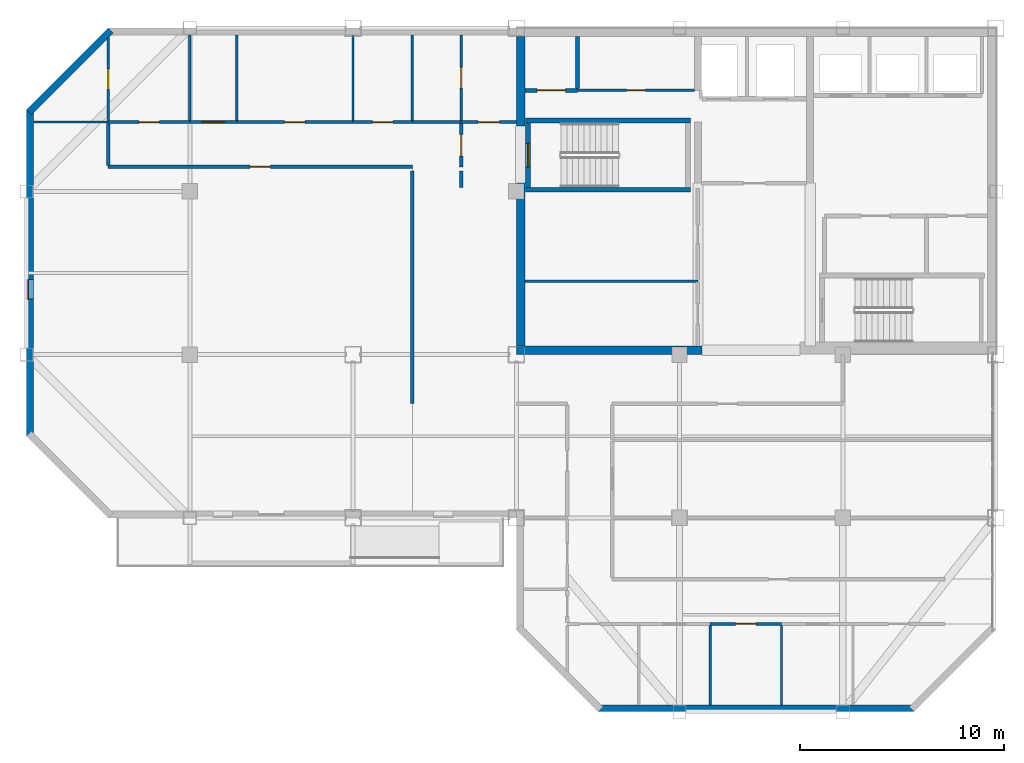
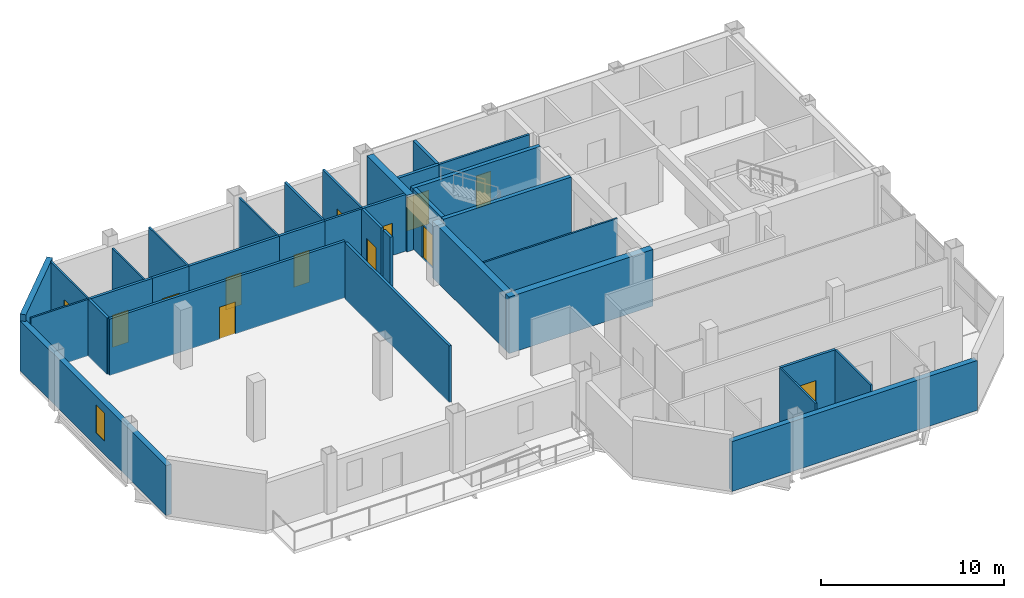
# One storey, part 8 of 13: 34 walls, 13 doors, 1 window, 14 openings.
"""IFC4 building model written with IfcOpenShell, lengths in metres."""

from ifc_helpers import new_model, si_unit, direction, frame, frame_2d, origin, place, context, subcontext, project, spatial, rectangle, extrude, material, layer, layer_set, type_object, element, fill, save


model = new_model("IFC4")

# Units and contexts
model_context = context("Model", 3, precision=1e-05, world=origin(), true_north=direction((0.0, 1.0)))
body_context = subcontext(model_context, "Body", "Model", "MODEL_VIEW")
ifc_project = project(units=[si_unit("LENGTHUNIT", "METRE"), si_unit("AREAUNIT", "SQUARE_METRE"), si_unit("VOLUMEUNIT", "CUBIC_METRE"), si_unit("PLANEANGLEUNIT", "RADIAN"), si_unit("MASSUNIT", "GRAM", prefix="KILO")], contexts=[model_context])

# Site, building, storey
site_placement = place(None, origin())
site = spatial("IfcSite", under=ifc_project, at=site_placement, CompositionType="ELEMENT")
building_placement = place(site_placement, origin())
building = spatial("IfcBuilding", under=site, at=building_placement, Name="Qianrong Seaharbour Tower", CompositionType="ELEMENT")
storey_placement = place(building_placement, frame((0.0, 0.0, 295.199951171875)))
storey = spatial("IfcBuildingStorey", under=building, at=storey_placement, Name="L71", CompositionType="ELEMENT", Elevation=295.199951171875)

# Walls
ifc_material_1 = material(Name="Concrete C50/60", Category="concrete")
ifc_layer_1 = layer(ifc_material_1, 0.419921875)
ifc_layer_set_1 = layer_set([ifc_layer_1], Name="Concrete C50/60")
wall_type_1 = type_object("IfcWallType", Name="WALL-CORE-420", PredefinedType="SHEAR", material=ifc_layer_set_1)
wall_1_placement = place(storey_placement, frame((40.7099609375, 36.419921875, 0.0), z_axis=(0.0, 0.0, 1.0), x_axis=(0.0, 1.0, 0.0)))
element("IfcWall", 1, at=wall_1_placement, inside=storey, type_object=wall_type_1, Name="L71 West Core Shear Wall South", PredefinedType="SHEAR", context=body_context, shape_type="SweptSolid", body=[
    extrude(rectangle(XDim=7.97998046875, YDim=0.419921875, at=frame_2d((3.989990234375, 0.0))), origin(), (0.0, 0.0, 1.0), 3.78515625),
])
wall_2_placement = place(storey_placement, frame((40.7099609375, 47.199951171875, 0.0), z_axis=(0.0, 0.0, 1.0), x_axis=(0.0, 1.0, 0.0)))
element("IfcWall", 2, at=wall_2_placement, inside=storey, type_object=wall_type_1, Name="L71 West Core Shear Wall North", PredefinedType="SHEAR", context=body_context, shape_type="SweptSolid", body=[
    extrude(rectangle(XDim=4.380126953125, YDim=0.419921875, at=frame_2d((2.18994140625, 0.0))), origin(), (0.0, 0.0, 1.0), 3.78515625),
])
wall_3_placement = place(storey_placement, frame((40.5, 36.2099609375, 0.0), z_axis=(0.0, 0.0, 1.0), x_axis=(1.0, 0.0, 0.0)))
element("IfcWall", 3, at=wall_3_placement, inside=storey, type_object=wall_type_1, Name="L71 South Core Shear Wall S1", PredefinedType="SHEAR", context=body_context, shape_type="SweptSolid", body=[
    extrude(rectangle(XDim=9.10009765625, YDim=0.419921875, at=frame_2d((4.550048828125, 0.0))), origin(), (0.0, 0.0, 1.0), 3.78515625),
])

# Wall, opening, door
ifc_material_2 = material(Name="Fire-rated acoustic gypsum board partition")
ifc_layer_2 = layer(ifc_material_2, 0.1650390625)
ifc_layer_set_2 = layer_set([ifc_layer_2], Name="Fire-rated acoustic gypsum board partition")
wall_type_2 = type_object("IfcWallType", Name="WALL-CORR-PART-165", PredefinedType="PARTITIONING", material=ifc_layer_set_2)
wall_4_placement = place(storey_placement, frame((37.800048828125, 47.39990234375, 0.0), z_axis=(0.0, 0.0, 1.0), x_axis=(1.0, 0.0, 0.0)))
wall_4 = element("IfcWall", 4, at=wall_4_placement, inside=storey, type_object=wall_type_2, Name="L71 Interior Partition Wall 001", PredefinedType="PARTITIONING", context=body_context, shape_type="SweptSolid", body=[
    extrude(rectangle(XDim=2.699951171875, YDim=0.1650390625, at=frame_2d((1.35009765625, 0.0))), origin(), (0.0, 0.0, 1.0), 3.78515625),
])
opening_1_placement = place(wall_4_placement, frame((0.824951171875, 0.0, 0.0)))
opening_1 = element("IfcOpeningElement", 5, at=opening_1_placement, cuts=wall_4, Name="Opening DC-01", PredefinedType="OPENING", context=body_context, shape_type="SweptSolid", body=[
    extrude(rectangle(XDim=1.050048828125, YDim=2.14990234375, at=frame_2d((0.52490234375, 1.074951171875))), frame((0.0, 0.092529296875, 0.0), z_axis=(0.0, -1.0, 0.0), x_axis=(1.0, 0.0, 0.0)), (0.0, 0.0, 1.0), 0.18505859375),
])
ifc_material_3 = material(Name="Acoustic timber and galvanized steel fire door assembly", Category="steel")
door_type_1 = type_object("IfcDoorType", Name="DOOR-CORR-FD60-1050x2150", OperationType="NOTDEFINED", PredefinedType="DOOR", material=ifc_material_3)
door_1_placement = place(opening_1_placement, origin())
door_1 = element("IfcDoor", 6, at=door_1_placement, inside=storey, type_object=door_type_1, Name="L71 Smokeproof Stair Vestibule ST-1 Door", OperationType="SINGLE_SWING_LEFT", OverallHeight=2.14990234375, OverallWidth=1.050048828125, PredefinedType="DOOR", context=body_context, shape_type="SweptSolid", body=[
    extrude(rectangle(XDim=1.050048828125, YDim=2.14990234375, at=frame_2d((0.52490234375, 1.074951171875))), frame((0.0, 0.02490234375, 0.0), z_axis=(0.0, -1.0, 0.0), x_axis=(1.0, 0.0, 0.0)), (0.0, 0.0, 1.0), 0.050048828125),
])
fill(opening_1, door_1)

wall_5_placement = place(storey_placement, frame((37.800048828125, 45.199951171875, 0.0), z_axis=(0.0, 0.0, 1.0), x_axis=(0.0, 1.0, 0.0)))
wall_5 = element("IfcWall", 7, at=wall_5_placement, inside=storey, type_object=wall_type_2, Name="L71 Interior Partition Wall 002", PredefinedType="PARTITIONING", context=body_context, shape_type="SweptSolid", body=[
    extrude(rectangle(XDim=2.12548828125, YDim=0.1650390625, at=frame_2d((1.062744140625, 0.0))), origin(), (0.0, 0.0, 1.0), 3.78515625),
])
opening_2_placement = place(wall_5_placement, frame((0.537841796875, 0.0, 0.0)))
opening_2 = element("IfcOpeningElement", 8, at=opening_2_placement, cuts=wall_5, Name="Opening DC-01", PredefinedType="OPENING", context=body_context, shape_type="SweptSolid", body=[
    extrude(rectangle(XDim=1.050048828125, YDim=2.14990234375, at=frame_2d((0.52490234375, 1.074951171875))), frame((0.0, 0.092529296875, 0.0), z_axis=(0.0, -1.0, 0.0), x_axis=(1.0, 0.0, 0.0)), (0.0, 0.0, 1.0), 0.18505859375),
])
door_2_placement = place(opening_2_placement, origin())
door_2 = element("IfcDoor", 9, at=door_2_placement, inside=storey, type_object=door_type_1, Name="L71 Smokeproof Stair Vestibule ST-1 Door", OperationType="SINGLE_SWING_RIGHT", OverallHeight=2.14990234375, OverallWidth=1.050048828125, PredefinedType="DOOR", context=body_context, shape_type="SweptSolid", body=[
    extrude(rectangle(XDim=1.050048828125, YDim=2.14990234375, at=frame_2d((0.52490234375, 1.074951171875))), frame((0.0, 0.02490234375, 0.0), z_axis=(0.0, -1.0, 0.0), x_axis=(1.0, 0.0, 0.0)), (0.0, 0.0, 1.0), 0.050048828125),
])
fill(opening_2, door_2)

# Wall
wall_6_placement = place(storey_placement, frame((37.800048828125, 44.199951171875, 0.0), z_axis=(0.0, 0.0, 1.0), x_axis=(0.0, 1.0, 0.0)))
element("IfcWall", 10, at=wall_6_placement, inside=storey, type_object=wall_type_2, Name="L71 Interior Partition Wall 003", PredefinedType="PARTITIONING", context=body_context, shape_type="SweptSolid", body=[
    extrude(rectangle(XDim=0.800048828125, YDim=0.1650390625, at=frame_2d((0.39990234375, 0.0))), origin(), (0.0, 0.0, 1.0), 3.78515625),
])

# Wall, opening, door
wall_7_placement = place(storey_placement, frame((35.39990234375, 45.199951171875, 0.0), z_axis=(0.0, 0.0, 1.0), x_axis=(-1.0, 0.0, 0.0)))
wall_7 = element("IfcWall", 11, at=wall_7_placement, inside=storey, type_object=wall_type_2, Name="L71 Interior Partition Wall 018", PredefinedType="PARTITIONING", context=body_context, shape_type="SweptSolid", body=[
    extrude(rectangle(XDim=14.89990234375, YDim=0.1650390625, at=frame_2d((7.449951171875, 0.0))), origin(), (0.0, 0.0, 1.0), 3.78515625),
])
opening_3_placement = place(wall_7_placement, frame((6.949951171875, 0.0, 0.0)))
opening_3 = element("IfcOpeningElement", 12, at=opening_3_placement, cuts=wall_7, Name="Opening DO-01", PredefinedType="OPENING", context=body_context, shape_type="SweptSolid", body=[
    extrude(rectangle(XDim=1.0, YDim=2.14990234375, at=frame_2d((0.5, 1.074951171875))), frame((0.0, 0.092529296875, 0.0), z_axis=(0.0, -1.0, 0.0), x_axis=(1.0, 0.0, 0.0)), (0.0, 0.0, 1.0), 0.18505859375),
])
door_type_2 = type_object("IfcDoorType", Name="DOOR-OFFICE-1000x2150", OperationType="NOTDEFINED", PredefinedType="DOOR", material=ifc_material_3)
door_3_placement = place(opening_3_placement, origin())
door_3 = element("IfcDoor", 13, at=door_3_placement, inside=storey, type_object=door_type_2, Name="L71 Open-Plan Office Door", OperationType="SINGLE_SWING_LEFT", OverallHeight=2.14990234375, OverallWidth=1.0, PredefinedType="DOOR", context=body_context, shape_type="SweptSolid", body=[
    extrude(rectangle(XDim=1.0, YDim=2.14990234375, at=frame_2d((0.5, 1.074951171875))), frame((0.0, 0.02490234375, 0.0), z_axis=(0.0, -1.0, 0.0), x_axis=(1.0, 0.0, 0.0)), (0.0, 0.0, 1.0), 0.050048828125),
])
fill(opening_3, door_3)

# Wall
wall_8_placement = place(storey_placement, frame((20.5, 45.2744140625, 0.0), z_axis=(0.0, 0.0, 1.0), x_axis=(0.0, 1.0, 0.0)))
element("IfcWall", 14, at=wall_8_placement, inside=storey, type_object=wall_type_2, Name="L71 Interior Partition Wall 019", PredefinedType="PARTITIONING", context=body_context, shape_type="SweptSolid", body=[
    extrude(rectangle(XDim=2.051025390625, YDim=0.1650390625, at=frame_2d((1.025390625, 0.0))), origin(), (0.0, 0.0, 1.0), 3.78515625),
])

# Wall, opening, door
wall_9_placement = place(storey_placement, frame((20.5, 47.39990234375, 0.0), z_axis=(0.0, 0.0, 1.0), x_axis=(1.0, 0.0, 0.0)))
wall_9 = element("IfcWall", 15, at=wall_9_placement, inside=storey, type_object=wall_type_2, Name="L71 Interior Partition Wall 020", PredefinedType="PARTITIONING", context=body_context, shape_type="SweptSolid", body=[
    extrude(rectangle(XDim=4.0, YDim=0.1650390625, at=frame_2d((2.0, 0.0))), origin(), (0.0, 0.0, 1.0), 3.78515625),
])
opening_4_placement = place(wall_9_placement, frame((1.5, 0.0, 0.0)))
opening_4 = element("IfcOpeningElement", 16, at=opening_4_placement, cuts=wall_9, Name="Opening DO-01", PredefinedType="OPENING", context=body_context, shape_type="SweptSolid", body=[
    extrude(rectangle(XDim=1.0, YDim=2.14990234375, at=frame_2d((0.5, 1.074951171875))), frame((0.0, 0.092529296875, 0.0), z_axis=(0.0, -1.0, 0.0), x_axis=(1.0, 0.0, 0.0)), (0.0, 0.0, 1.0), 0.18505859375),
])
door_4_placement = place(opening_4_placement, origin())
door_4 = element("IfcDoor", 17, at=door_4_placement, inside=storey, type_object=door_type_2, Name="L71 Focus Room 2 Door", OperationType="SINGLE_SWING_LEFT", OverallHeight=2.14990234375, OverallWidth=1.0, PredefinedType="DOOR", context=body_context, shape_type="SweptSolid", body=[
    extrude(rectangle(XDim=1.0, YDim=2.14990234375, at=frame_2d((0.5, 1.074951171875))), frame((0.0, 0.02490234375, 0.0), z_axis=(0.0, -1.0, 0.0), x_axis=(1.0, 0.0, 0.0)), (0.0, 0.0, 1.0), 0.050048828125),
])
fill(opening_4, door_4)

wall_10_placement = place(storey_placement, frame((24.5, 47.39990234375, 0.0), z_axis=(0.0, 0.0, 1.0), x_axis=(1.0, 0.0, 0.0)))
wall_10 = element("IfcWall", 18, at=wall_10_placement, inside=storey, type_object=wall_type_2, Name="L71 Interior Partition Wall 021", PredefinedType="PARTITIONING", context=body_context, shape_type="SweptSolid", body=[
    extrude(rectangle(XDim=2.300048828125, YDim=0.1650390625, at=frame_2d((1.14990234375, 0.0))), origin(), (0.0, 0.0, 1.0), 3.78515625),
])
opening_5_placement = place(wall_10_placement, frame((0.60009765625, 0.0, 0.0)))
opening_5 = element("IfcOpeningElement", 19, at=opening_5_placement, cuts=wall_10, Name="Opening DM-01", PredefinedType="OPENING", context=body_context, shape_type="SweptSolid", body=[
    extrude(rectangle(XDim=1.10009765625, YDim=2.199951171875, at=frame_2d((0.550048828125, 1.10009765625))), frame((0.0, 0.092529296875, 0.0), z_axis=(0.0, -1.0, 0.0), x_axis=(1.0, 0.0, 0.0)), (0.0, 0.0, 1.0), 0.18505859375),
])
door_type_3 = type_object("IfcDoorType", Name="DOOR-MEET-1100x2200", OperationType="NOTDEFINED", PredefinedType="DOOR", material=ifc_material_3)
door_5_placement = place(opening_5_placement, origin())
door_5 = element("IfcDoor", 20, at=door_5_placement, inside=storey, type_object=door_type_3, Name="L71 Meeting Room 3 Door", OperationType="SINGLE_SWING_RIGHT", OverallHeight=2.199951171875, OverallWidth=1.10009765625, PredefinedType="DOOR", context=body_context, shape_type="SweptSolid", body=[
    extrude(rectangle(XDim=1.10009765625, YDim=2.199951171875, at=frame_2d((0.550048828125, 1.10009765625))), frame((0.0, 0.02490234375, 0.0), z_axis=(0.0, -1.0, 0.0), x_axis=(1.0, 0.0, 0.0)), (0.0, 0.0, 1.0), 0.050048828125),
])
fill(opening_5, door_5)

wall_11_placement = place(storey_placement, frame((26.800048828125, 47.39990234375, 0.0), z_axis=(0.0, 0.0, 1.0), x_axis=(1.0, 0.0, 0.0)))
wall_11 = element("IfcWall", 21, at=wall_11_placement, inside=storey, type_object=wall_type_2, Name="L71 Interior Partition Wall 022", PredefinedType="PARTITIONING", context=body_context, shape_type="SweptSolid", body=[
    extrude(rectangle(XDim=5.699951171875, YDim=0.1650390625, at=frame_2d((2.85009765625, 0.0))), origin(), (0.0, 0.0, 1.0), 3.78515625),
])
opening_6_placement = place(wall_11_placement, frame((2.35009765625, 0.0, 0.0)))
opening_6 = element("IfcOpeningElement", 22, at=opening_6_placement, cuts=wall_11, Name="Opening DO-01", PredefinedType="OPENING", context=body_context, shape_type="SweptSolid", body=[
    extrude(rectangle(XDim=1.0, YDim=2.14990234375, at=frame_2d((0.5, 1.074951171875))), frame((0.0, 0.092529296875, 0.0), z_axis=(0.0, -1.0, 0.0), x_axis=(1.0, 0.0, 0.0)), (0.0, 0.0, 1.0), 0.18505859375),
])
door_6_placement = place(opening_6_placement, origin())
door_6 = element("IfcDoor", 23, at=door_6_placement, inside=storey, type_object=door_type_2, Name="L71 Executive Office 4 Door", OperationType="SINGLE_SWING_LEFT", OverallHeight=2.14990234375, OverallWidth=1.0, PredefinedType="DOOR", context=body_context, shape_type="SweptSolid", body=[
    extrude(rectangle(XDim=1.0, YDim=2.14990234375, at=frame_2d((0.5, 1.074951171875))), frame((0.0, 0.02490234375, 0.0), z_axis=(0.0, -1.0, 0.0), x_axis=(1.0, 0.0, 0.0)), (0.0, 0.0, 1.0), 0.050048828125),
])
fill(opening_6, door_6)

wall_12_placement = place(storey_placement, frame((32.5, 47.39990234375, 0.0), z_axis=(0.0, 0.0, 1.0), x_axis=(1.0, 0.0, 0.0)))
wall_12 = element("IfcWall", 24, at=wall_12_placement, inside=storey, type_object=wall_type_2, Name="L71 Interior Partition Wall 023", PredefinedType="PARTITIONING", context=body_context, shape_type="SweptSolid", body=[
    extrude(rectangle(XDim=2.89990234375, YDim=0.1650390625, at=frame_2d((1.449951171875, 0.0))), origin(), (0.0, 0.0, 1.0), 3.78515625),
])
opening_7_placement = place(wall_12_placement, frame((0.949951171875, 0.0, 0.0)))
opening_7 = element("IfcOpeningElement", 25, at=opening_7_placement, cuts=wall_12, Name="Opening DO-01", PredefinedType="OPENING", context=body_context, shape_type="SweptSolid", body=[
    extrude(rectangle(XDim=1.0, YDim=2.14990234375, at=frame_2d((0.5, 1.074951171875))), frame((0.0, 0.092529296875, 0.0), z_axis=(0.0, -1.0, 0.0), x_axis=(1.0, 0.0, 0.0)), (0.0, 0.0, 1.0), 0.18505859375),
])
door_7_placement = place(opening_7_placement, origin())
door_7 = element("IfcDoor", 26, at=door_7_placement, inside=storey, type_object=door_type_2, Name="L71 Executive Office 5 Door", OperationType="SINGLE_SWING_RIGHT", OverallHeight=2.14990234375, OverallWidth=1.0, PredefinedType="DOOR", context=body_context, shape_type="SweptSolid", body=[
    extrude(rectangle(XDim=1.0, YDim=2.14990234375, at=frame_2d((0.5, 1.074951171875))), frame((0.0, 0.02490234375, 0.0), z_axis=(0.0, -1.0, 0.0), x_axis=(1.0, 0.0, 0.0)), (0.0, 0.0, 1.0), 0.050048828125),
])
fill(opening_7, door_7)

# Wall
wall_13_placement = place(storey_placement, frame((35.39990234375, 33.60009765625, 0.0), z_axis=(0.0, 0.0, 1.0), x_axis=(0.0, 1.0, 0.0)))
element("IfcWall", 27, at=wall_13_placement, inside=storey, type_object=wall_type_2, Name="L71 Interior Partition Wall 024", PredefinedType="PARTITIONING", context=body_context, shape_type="SweptSolid", body=[
    extrude(rectangle(XDim=11.39990234375, YDim=0.1650390625, at=frame_2d((5.699951171875, 0.0))), origin(), (0.0, 0.0, 1.0), 3.78515625),
])

# Wall, opening, door
wall_14_placement = place(storey_placement, frame((53.5, 22.800048828125, 0.0), z_axis=(0.0, 0.0, 1.0), x_axis=(-1.0, 0.0, 0.0)))
wall_14 = element("IfcWall", 28, at=wall_14_placement, inside=storey, type_object=wall_type_2, Name="L71 Interior Partition Wall 038", PredefinedType="PARTITIONING", context=body_context, shape_type="SweptSolid", body=[
    extrude(rectangle(XDim=3.5, YDim=0.1650390625, at=frame_2d((1.75, 0.0))), origin(), (0.0, 0.0, 1.0), 3.78515625),
])
opening_8_placement = place(wall_14_placement, frame((1.25, 0.0, 0.0)))
opening_8 = element("IfcOpeningElement", 29, at=opening_8_placement, cuts=wall_14, Name="Opening DO-01", PredefinedType="OPENING", context=body_context, shape_type="SweptSolid", body=[
    extrude(rectangle(XDim=1.0, YDim=2.14990234375, at=frame_2d((0.5, 1.074951171875))), frame((0.0, 0.092529296875, 0.0), z_axis=(0.0, -1.0, 0.0), x_axis=(1.0, 0.0, 0.0)), (0.0, 0.0, 1.0), 0.18505859375),
])
door_8_placement = place(opening_8_placement, origin())
door_8 = element("IfcDoor", 30, at=door_8_placement, inside=storey, type_object=door_type_2, Name="L71 Executive Office 3 Door", OperationType="SINGLE_SWING_LEFT", OverallHeight=2.14990234375, OverallWidth=1.0, PredefinedType="DOOR", context=body_context, shape_type="SweptSolid", body=[
    extrude(rectangle(XDim=1.0, YDim=2.14990234375, at=frame_2d((0.5, 1.074951171875))), frame((0.0, 0.02490234375, 0.0), z_axis=(0.0, -1.0, 0.0), x_axis=(1.0, 0.0, 0.0)), (0.0, 0.0, 1.0), 0.050048828125),
])
fill(opening_8, door_8)

# Walls
ifc_material_4 = material(Name="Demountable aluminium-framed acoustic office partition", Category="aluminium")
ifc_layer_3 = layer(ifc_material_4, 0.110107421875)
ifc_layer_set_3 = layer_set([ifc_layer_3], Name="Demountable aluminium-framed acoustic office partition")
wall_type_3 = type_object("IfcWallType", Name="WALL-DEMOUNT-110", PredefinedType="MOVABLE", material=ifc_layer_set_3)
wall_15_placement = place(storey_placement, frame((40.919921875, 39.60009765625, 0.0), z_axis=(0.0, 0.0, 1.0), x_axis=(1.0, 0.0, 0.0)))
element("IfcWall", 31, at=wall_15_placement, inside=storey, type_object=wall_type_3, Name="L71 Interior Partition Wall 013", PredefinedType="MOVABLE", context=body_context, shape_type="SweptSolid", body=[
    extrude(rectangle(XDim=8.47998046875, YDim=0.110107421875, at=frame_2d((4.239990234375, 0.0))), origin(), (0.0, 0.0, 1.0), 3.78515625),
])
wall_16_placement = place(storey_placement, frame((16.83203125, 47.39990234375, 0.0), z_axis=(0.0, 0.0, 1.0), x_axis=(1.0, 0.0, 0.0)))
element("IfcWall", 32, at=wall_16_placement, inside=storey, type_object=wall_type_3, Name="L71 Interior Partition Wall 041", PredefinedType="MOVABLE", context=body_context, shape_type="SweptSolid", body=[
    extrude(rectangle(XDim=3.66796875, YDim=0.110107421875, at=frame_2d((1.833984375, 0.0))), origin(), (0.0, 0.0, 1.0), 3.78515625),
])

# Wall, opening, door
wall_17_placement = place(storey_placement, frame((20.5, 51.530517578125, 0.0), z_axis=(0.0, 0.0, 1.0), x_axis=(0.0, -1.0, 0.0)))
wall_17 = element("IfcWall", 33, at=wall_17_placement, inside=storey, type_object=wall_type_3, Name="L71 Interior Partition Wall 042", PredefinedType="MOVABLE", context=body_context, shape_type="SweptSolid", body=[
    extrude(rectangle(XDim=4.055908203125, YDim=0.110107421875, at=frame_2d((2.02783203125, 0.0))), origin(), (0.0, 0.0, 1.0), 3.78515625),
])
opening_9_placement = place(wall_17_placement, frame((1.528076171875, 0.0, 0.0)))
opening_9 = element("IfcOpeningElement", 34, at=opening_9_placement, cuts=wall_17, Name="Opening DO-01", PredefinedType="OPENING", context=body_context, shape_type="SweptSolid", body=[
    extrude(rectangle(XDim=1.0, YDim=2.14990234375, at=frame_2d((0.5, 1.074951171875))), frame((0.0, 0.06494140625, 0.0), z_axis=(0.0, -1.0, 0.0), x_axis=(1.0, 0.0, 0.0)), (0.0, 0.0, 1.0), 0.130126953125),
])
door_9_placement = place(opening_9_placement, origin())
door_9 = element("IfcDoor", 35, at=door_9_placement, inside=storey, type_object=door_type_2, Name="L71 Executive Office 1 Door", OperationType="SINGLE_SWING_RIGHT", OverallHeight=2.14990234375, OverallWidth=1.0, PredefinedType="DOOR", context=body_context, shape_type="SweptSolid", body=[
    extrude(rectangle(XDim=1.0, YDim=2.14990234375, at=frame_2d((0.5, 1.074951171875))), frame((0.0, 0.02490234375, 0.0), z_axis=(0.0, -1.0, 0.0), x_axis=(1.0, 0.0, 0.0)), (0.0, 0.0, 1.0), 0.050048828125),
])
fill(opening_9, door_9)

# Walls
wall_18_placement = place(storey_placement, frame((24.5, 51.66796875, 0.0), z_axis=(0.0, 0.0, 1.0), x_axis=(0.0, -1.0, 0.0)))
element("IfcWall", 36, at=wall_18_placement, inside=storey, type_object=wall_type_3, Name="L71 Interior Partition Wall 043", PredefinedType="MOVABLE", context=body_context, shape_type="SweptSolid", body=[
    extrude(rectangle(XDim=4.193359375, YDim=0.110107421875, at=frame_2d((2.0966796875, 0.0))), origin(), (0.0, 0.0, 1.0), 3.177001953125),
])
for number, where, z_axis, x_axis, name in (
    (37, (26.800048828125, 51.66796875, 0.0), (0.0, 0.0, 1.0), (0.0, -1.0, 0.0), "L71 Interior Partition Wall 044"),
    (38, (32.5, 51.66796875, 0.0), (0.0, 0.0, 1.0), (0.0, -1.0, 0.0), "L71 Interior Partition Wall 045"),
):
    element("IfcWall", number, at=place(storey_placement, frame(where, z_axis=z_axis, x_axis=x_axis)), inside=storey, type_object=wall_type_3, Name=name, PredefinedType="MOVABLE", context=body_context, shape_type="SweptSolid", body=[
        extrude(rectangle(XDim=4.193359375, YDim=0.110107421875, at=frame_2d((2.0966796875, 0.0))), origin(), (0.0, 0.0, 1.0), 3.78515625),
    ])
for number, where, z_axis, x_axis, name in (
    (39, (50.0, 22.7255859375, 0.0), (0.0, 0.0, 1.0), (0.0, -1.0, 0.0), "L71 Interior Partition Wall 052"),
    (40, (53.5, 22.7255859375, 0.0), (0.0, 0.0, 1.0), (0.0, -1.0, 0.0), "L71 Interior Partition Wall 053"),
):
    element("IfcWall", number, at=place(storey_placement, frame(where, z_axis=z_axis, x_axis=x_axis)), inside=storey, type_object=wall_type_3, Name=name, PredefinedType="MOVABLE", context=body_context, shape_type="SweptSolid", body=[
        extrude(rectangle(XDim=3.8935546875, YDim=0.110107421875, at=frame_2d((1.94677734375, 0.0))), origin(), (0.0, 0.0, 1.0), 3.78515625),
    ])

# Wall, opening, window
ifc_material_5 = material(Name="Unitised buff brick on Precast concrete C45/55", Category="masonry")
ifc_layer_4 = layer(ifc_material_5, 0.340087890625)
ifc_layer_set_4 = layer_set([ifc_layer_4], Name="Unitised buff brick on Precast concrete C45/55")
wall_type_4 = type_object("IfcWallType", Name="WALL-EXT-BRICK-BUFF-340", PredefinedType="SOLIDWALL", material=ifc_layer_set_4)
wall_19_placement = place(storey_placement, frame((16.669921875, 32.0, 0.0), z_axis=(0.0, 0.0, 1.0), x_axis=(0.0, 1.0, 0.0)))
wall_19 = element("IfcWall", 41, at=wall_19_placement, inside=storey, type_object=wall_type_4, Name="L71 Exterior Masonry Facade Wall WEST_TIP", PredefinedType="SOLIDWALL", context=body_context, shape_type="SweptSolid", body=[
    extrude(rectangle(XDim=16.0, YDim=0.340087890625, at=frame_2d((8.0, 0.0))), origin(), (0.0, 0.0, 1.0), 3.3349609375),
])
opening_10_placement = place(wall_19_placement, frame((6.72509765625, 0.0, 0.89990234375)))
opening_10 = element("IfcOpeningElement", 42, at=opening_10_placement, cuts=wall_19, Name="Opening WN-13", PredefinedType="OPENING", context=body_context, shape_type="SweptSolid", body=[
    extrude(rectangle(XDim=0.949951171875, YDim=1.85009765625, at=frame_2d((0.47509765625, 0.925048828125))), frame((0.0, 0.18017578125, 0.0), z_axis=(0.0, -1.0, 0.0), x_axis=(1.0, 0.0, 0.0)), (0.0, 0.0, 1.0), 0.360107421875),
])
ifc_material_6 = material(Name="Insulated low-e double glazing in thermally broken aluminium 6063-T6 frame", Category="aluminium")
window_type = type_object("IfcWindowType", Name="WIN-NARROW-950x1850", PartitioningType="SINGLE_PANEL", PredefinedType="WINDOW", material=ifc_material_6)
window_placement = place(opening_10_placement, origin())
window = element("IfcWindow", 43, at=window_placement, inside=storey, type_object=window_type, Name="L71 Deep-Set Punched Window 03.02", OverallHeight=1.85009765625, OverallWidth=0.949951171875, PartitioningType="SINGLE_PANEL", PredefinedType="WINDOW", context=body_context, shape_type="SweptSolid", body=[
    extrude(rectangle(XDim=0.949951171875, YDim=1.85009765625, at=frame_2d((0.47509765625, 0.925048828125))), frame((0.0, 0.150146484375, 0.0), z_axis=(0.0, -1.0, 0.0), x_axis=(1.0, 0.0, 0.0)), (0.0, 0.0, 1.0), 0.06005859375),
])
fill(opening_10, window)

# Walls
wall_20_placement = place(storey_placement, frame((16.6201171875, 47.8798828125, 0.0), z_axis=(0.0, 0.0, 1.0), x_axis=(0.707106781187, 0.707106781187, 0.0)))
element("IfcWall", 44, at=wall_20_placement, inside=storey, type_object=wall_type_4, Name="L71 Exterior Masonry Facade Wall E04", PredefinedType="SOLIDWALL", context=body_context, shape_type="SweptSolid", body=[
    extrude(rectangle(XDim=5.65673828125, YDim=0.340087890625, at=frame_2d((2.828369140625, 0.0))), origin(), (0.0, 0.0, 1.0), 3.78515625),
])
wall_21_placement = place(storey_placement, frame((60.0, 18.669921875, 0.0), z_axis=(0.0, 0.0, 1.0), x_axis=(-1.0, 0.0, 0.0)))
element("IfcWall", 45, at=wall_21_placement, inside=storey, type_object=wall_type_4, Name="L71 Exterior Masonry Facade Wall SOUTH_TIP", PredefinedType="SOLIDWALL", context=body_context, shape_type="SweptSolid", body=[
    extrude(rectangle(XDim=15.5, YDim=0.340087890625, at=frame_2d((7.75, 0.0))), origin(), (0.0, 0.0, 1.0), 3.3349609375),
])

# Wall, opening, door
ifc_material_7 = material(Name="Double fire-rated gypsum board acoustic partition")
ifc_layer_5 = layer(ifc_material_7, 0.18994140625)
ifc_layer_set_5 = layer_set([ifc_layer_5], Name="Double fire-rated gypsum board acoustic partition")
wall_type_5 = type_object("IfcWallType", Name="WALL-FIRE-PART-190", PredefinedType="PARTITIONING", material=ifc_layer_set_5)
wall_22_placement = place(storey_placement, frame((40.919921875, 48.949951171875, 0.0), z_axis=(0.0, 0.0, 1.0), x_axis=(1.0, 0.0, 0.0)))
wall_22 = element("IfcWall", 46, at=wall_22_placement, inside=storey, type_object=wall_type_5, Name="L71 Interior Partition Wall 007", PredefinedType="PARTITIONING", context=body_context, shape_type="SweptSolid", body=[
    extrude(rectangle(XDim=2.580078125, YDim=0.18994140625, at=frame_2d((1.2900390625, 0.0))), origin(), (0.0, 0.0, 1.0), 3.78515625),
])
opening_11_placement = place(wall_22_placement, frame((0.590087890625, 0.0, 0.0)))
opening_11 = element("IfcOpeningElement", 47, at=opening_11_placement, cuts=wall_22, Name="Opening DP-01", PredefinedType="OPENING", context=body_context, shape_type="SweptSolid", body=[
    extrude(rectangle(XDim=1.39990234375, YDim=2.25, at=frame_2d((0.699951171875, 1.125))), frame((0.0, 0.10498046875, 0.0), z_axis=(0.0, -1.0, 0.0), x_axis=(1.0, 0.0, 0.0)), (0.0, 0.0, 1.0), 0.2099609375),
])
door_type_4 = type_object("IfcDoorType", Name="DOOR-PLANT-PAIR-1400x2250", OperationType="DOUBLE_DOOR_SINGLE_SWING", PredefinedType="DOOR", material=ifc_material_3)
door_10_placement = place(opening_11_placement, origin())
door_10 = element("IfcDoor", 48, at=door_10_placement, inside=storey, type_object=door_type_4, Name="L71 Core Electrical Closet Door", OperationType="DOUBLE_DOOR_SINGLE_SWING", OverallHeight=2.25, OverallWidth=1.39990234375, PredefinedType="DOOR", context=body_context, shape_type="SweptSolid", body=[
    extrude(rectangle(XDim=1.39990234375, YDim=2.25, at=frame_2d((0.699951171875, 1.125))), frame((0.0, 0.02490234375, 0.0), z_axis=(0.0, -1.0, 0.0), x_axis=(1.0, 0.0, 0.0)), (0.0, 0.0, 1.0), 0.050048828125),
])
fill(opening_11, door_10)

# Walls
wall_23_placement = place(storey_placement, frame((43.5, 51.580078125, 0.0), z_axis=(0.0, 0.0, 1.0), x_axis=(0.0, -1.0, 0.0)))
element("IfcWall", 49, at=wall_23_placement, inside=storey, type_object=wall_type_5, Name="L71 Interior Partition Wall 016", PredefinedType="PARTITIONING", context=body_context, shape_type="SweptSolid", body=[
    extrude(rectangle(XDim=2.54296875, YDim=0.18994140625, at=frame_2d((1.271484375, 0.0))), origin(), (0.0, 0.0, 1.0), 3.78515625),
])
ifc_layer_6 = layer(ifc_material_1, 0.239990234375)
ifc_layer_set_6 = layer_set([ifc_layer_6], Name="Concrete C50/60")
wall_type_6 = type_object("IfcWallType", Name="WALL-SHAFT-RC240", PredefinedType="SOLIDWALL", material=ifc_layer_set_6)
for number, where, z_axis, x_axis, name in (
    (50, (40.9599609375, 47.469970703125, 0.0), (0.0, 0.0, 1.0), (1.0, 0.0, 0.0), "L71 ST-1 Structural Stair Core Wall N"),
    (51, (49.0400390625, 44.080078125, 0.0), (0.0, 0.0, 1.0), (-1.0, 0.0, 0.0), "L71 ST-1 Structural Stair Core Wall S"),
):
    element("IfcWall", number, at=place(storey_placement, frame(where, z_axis=z_axis, x_axis=x_axis)), inside=storey, type_object=wall_type_6, Name=name, PredefinedType="SOLIDWALL", context=body_context, shape_type="SweptSolid", body=[
        extrude(rectangle(XDim=8.080078125, YDim=0.239990234375, at=frame_2d((4.0400390625, 0.0))), origin(), (0.0, 0.0, 1.0), 4.0),
    ])

# Wall, opening, door
wall_24_placement = place(storey_placement, frame((41.080078125, 47.35009765625, 0.0), z_axis=(0.0, 0.0, 1.0), x_axis=(0.0, -1.0, 0.0)))
wall_24 = element("IfcWall", 52, at=wall_24_placement, inside=storey, type_object=wall_type_6, Name="L71 ST-1 Structural Stair Core Wall W", PredefinedType="SOLIDWALL", context=body_context, shape_type="SweptSolid", body=[
    extrude(rectangle(XDim=3.150146484375, YDim=0.239990234375, at=frame_2d((1.5751953125, 0.0))), origin(), (0.0, 0.0, 1.0), 4.0),
])
opening_12_placement = place(wall_24_placement, frame((1.0, 0.0, 0.0)))
opening_12 = element("IfcOpeningElement", 53, at=opening_12_placement, cuts=wall_24, Name="Opening SD-01", PredefinedType="OPENING", context=body_context, shape_type="SweptSolid", body=[
    extrude(rectangle(XDim=1.14990234375, YDim=2.199951171875, at=frame_2d((0.574951171875, 1.10009765625))), frame((0.0, 0.1298828125, 0.0), z_axis=(0.0, -1.0, 0.0), x_axis=(1.0, 0.0, 0.0)), (0.0, 0.0, 1.0), 0.260009765625),
])
door_type_5 = type_object("IfcDoorType", Name="DOOR-STAIR-FD60-1150x2200", OperationType="NOTDEFINED", PredefinedType="DOOR", material=ifc_material_3)
door_11_placement = place(opening_12_placement, origin())
door_11 = element("IfcDoor", 54, at=door_11_placement, inside=storey, type_object=door_type_5, Name="L71 ST-1 Protected Stair Door", OperationType="SINGLE_SWING_RIGHT", OverallHeight=2.199951171875, OverallWidth=1.14990234375, PredefinedType="DOOR", context=body_context, shape_type="SweptSolid", body=[
    extrude(rectangle(XDim=1.14990234375, YDim=2.199951171875, at=frame_2d((0.574951171875, 1.10009765625))), frame((0.0, 0.02490234375, 0.0), z_axis=(0.0, -1.0, 0.0), x_axis=(1.0, 0.0, 0.0)), (0.0, 0.0, 1.0), 0.050048828125),
])
fill(opening_12, door_11)

ifc_material_8 = material(Name="Water-resistant cement board sanitary partition")
ifc_layer_7 = layer(ifc_material_8, 0.1298828125)
ifc_layer_set_7 = layer_set([ifc_layer_7], Name="Water-resistant cement board sanitary partition")
wall_type_7 = type_object("IfcWallType", Name="WALL-WET-PART-130", PredefinedType="PARTITIONING", material=ifc_layer_set_7)
wall_25_placement = place(storey_placement, frame((37.800048828125, 47.474609375, 0.0), z_axis=(0.0, 0.0, 1.0), x_axis=(0.0, 1.0, 0.0)))
wall_25 = element("IfcWall", 55, at=wall_25_placement, inside=storey, type_object=wall_type_7, Name="L71 Interior Partition Wall 004", PredefinedType="PARTITIONING", context=body_context, shape_type="SweptSolid", body=[
    extrude(rectangle(XDim=4.193359375, YDim=0.1298828125, at=frame_2d((2.0966796875, 0.0))), origin(), (0.0, 0.0, 1.0), 3.78515625),
])
opening_13_placement = place(wall_25_placement, frame((1.5869140625, 0.0, 0.0)))
opening_13 = element("IfcOpeningElement", 56, at=opening_13_placement, cuts=wall_25, Name="Opening DAW-01", PredefinedType="OPENING", context=body_context, shape_type="SweptSolid", body=[
    extrude(rectangle(XDim=1.02001953125, YDim=2.14990234375, at=frame_2d((0.510009765625, 1.074951171875))), frame((0.0, 0.074951171875, 0.0), z_axis=(0.0, -1.0, 0.0), x_axis=(1.0, 0.0, 0.0)), (0.0, 0.0, 1.0), 0.14990234375),
])
door_type_6 = type_object("IfcDoorType", Name="DOOR-AWC-SLIDE-1020x2150", OperationType="SLIDING_TO_LEFT", PredefinedType="DOOR", material=ifc_material_3)
door_12_placement = place(opening_13_placement, origin())
door_12 = element("IfcDoor", 57, at=door_12_placement, inside=storey, type_object=door_type_6, Name="L71 Accessible Restroom WC Door", OperationType="SLIDING_TO_LEFT", OverallHeight=2.14990234375, OverallWidth=1.02001953125, PredefinedType="DOOR", context=body_context, shape_type="SweptSolid", body=[
    extrude(rectangle(XDim=1.02001953125, YDim=2.14990234375, at=frame_2d((0.510009765625, 1.074951171875))), frame((0.0, 0.02490234375, 0.0), z_axis=(0.0, -1.0, 0.0), x_axis=(1.0, 0.0, 0.0)), (0.0, 0.0, 1.0), 0.050048828125),
])
fill(opening_13, door_12)

# Walls
wall_26_placement = place(storey_placement, frame((37.800048828125, 47.39990234375, 0.0), z_axis=(0.0, 0.0, 1.0), x_axis=(-1.0, 0.0, 0.0)))
element("IfcWall", 58, at=wall_26_placement, inside=storey, type_object=wall_type_7, Name="L71 Interior Partition Wall 005", PredefinedType="PARTITIONING", context=body_context, shape_type="SweptSolid", body=[
    extrude(rectangle(XDim=2.400146484375, YDim=0.1298828125, at=frame_2d((1.2001953125, 0.0))), origin(), (0.0, 0.0, 1.0), 3.78515625),
])
wall_27_placement = place(storey_placement, frame((35.39990234375, 47.474609375, 0.0), z_axis=(0.0, 0.0, 1.0), x_axis=(0.0, 1.0, 0.0)))
element("IfcWall", 59, at=wall_27_placement, inside=storey, type_object=wall_type_7, Name="L71 Interior Partition Wall 006", PredefinedType="PARTITIONING", context=body_context, shape_type="SweptSolid", body=[
    extrude(rectangle(XDim=4.193359375, YDim=0.1298828125, at=frame_2d((2.0966796875, 0.0))), origin(), (0.0, 0.0, 1.0), 3.78515625),
])

# Wall, opening, door
wall_28_placement = place(storey_placement, frame((43.5, 48.949951171875, 0.0), z_axis=(0.0, 0.0, 1.0), x_axis=(1.0, 0.0, 0.0)))
wall_28 = element("IfcWall", 60, at=wall_28_placement, inside=storey, type_object=wall_type_7, Name="L71 Interior Partition Wall 008", PredefinedType="PARTITIONING", context=body_context, shape_type="SweptSolid", body=[
    extrude(rectangle(XDim=5.73291015625, YDim=0.1298828125, at=frame_2d((2.866455078125, 0.0))), origin(), (0.0, 0.0, 1.0), 3.78515625),
])
opening_14_placement = place(wall_28_placement, frame((2.406494140625, 0.0, 0.0)))
opening_14 = element("IfcOpeningElement", 61, at=opening_14_placement, cuts=wall_28, Name="Opening DW-01", PredefinedType="OPENING", context=body_context, shape_type="SweptSolid", body=[
    extrude(rectangle(XDim=0.919921875, YDim=2.14990234375, at=frame_2d((0.4599609375, 1.074951171875))), frame((0.0, 0.074951171875, 0.0), z_axis=(0.0, -1.0, 0.0), x_axis=(1.0, 0.0, 0.0)), (0.0, 0.0, 1.0), 0.14990234375),
])
door_type_7 = type_object("IfcDoorType", Name="DOOR-WC-920x2150", OperationType="NOTDEFINED", PredefinedType="DOOR", material=ifc_material_3)
door_13_placement = place(opening_14_placement, origin())
door_13 = element("IfcDoor", 62, at=door_13_placement, inside=storey, type_object=door_type_7, Name="L71 Staff Restroom WC Door", OperationType="SINGLE_SWING_LEFT", OverallHeight=2.14990234375, OverallWidth=0.919921875, PredefinedType="DOOR", context=body_context, shape_type="SweptSolid", body=[
    extrude(rectangle(XDim=0.919921875, YDim=2.14990234375, at=frame_2d((0.4599609375, 1.074951171875))), frame((0.0, 0.02490234375, 0.0), z_axis=(0.0, -1.0, 0.0), x_axis=(1.0, 0.0, 0.0)), (0.0, 0.0, 1.0), 0.050048828125),
])
fill(opening_14, door_13)

save(model, "model.ifc")
